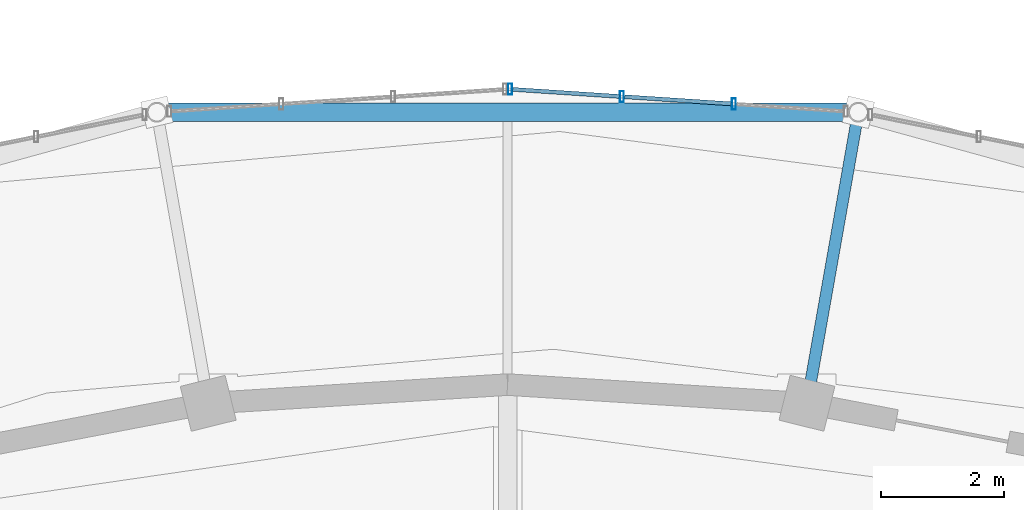
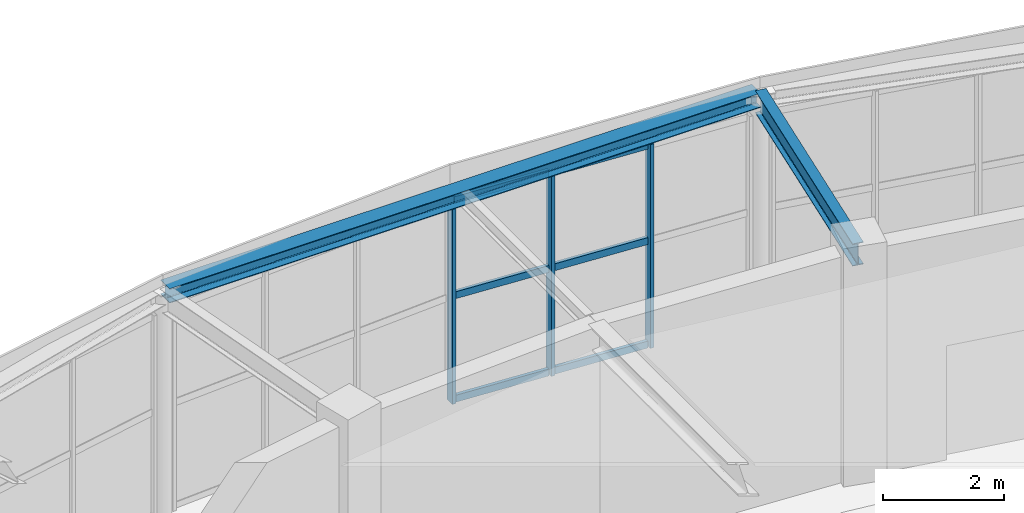
# One storey, part 60 of 108: 9 members, 2 beams, 1 element without a shape of its own.
"""IFC4 building model written with IfcOpenShell, lengths in metres."""

from ifc_helpers import new_model, si_unit, direction, frame, origin, origin_2d, place, context, subcontext, project, spatial, hollow_rectangle, i_section, extrude, material, material_profile, profile_set, type_object, element, aggregate, save


model = new_model("IFC4")

# Units and contexts
model_context = context("Model", 3, precision=1e-05, world=origin(), true_north=direction((0.0, 1.0)))
body_context = subcontext(model_context, "Body", "Model", "MODEL_VIEW")
ifc_project = project(units=[si_unit("LENGTHUNIT", "METRE"), si_unit("AREAUNIT", "SQUARE_METRE"), si_unit("VOLUMEUNIT", "CUBIC_METRE"), si_unit("PLANEANGLEUNIT", "RADIAN"), si_unit("MASSUNIT", "GRAM", prefix="KILO")], contexts=[model_context])

# Site, building, storey
site_placement = place(None, origin())
site = spatial("IfcSite", under=ifc_project, at=site_placement, CompositionType="ELEMENT")
building_placement = place(site_placement, origin())
building = spatial("IfcBuilding", under=site, at=building_placement, Name="Tarnveldt Headland Concert Hall", CompositionType="ELEMENT")
storey_placement = place(building_placement, frame((0.0, 0.0, 9.60009765625)))
storey = spatial("IfcBuildingStorey", under=building, at=storey_placement, Name="L02", CompositionType="ELEMENT", Elevation=9.60009765625)

# Curtain wall, members
ifc_material_1 = material(Name="Marine-anodised aluminium EN AW-6063-T6", Category="aluminium")
curtain_wall_type = type_object("IfcCurtainWallType", Name="CW-F3", PredefinedType="NOTDEFINED", material=ifc_material_1)
curtain_wall_placement = place(storey_placement, origin())
curtain_wall = element("IfcCurtainWall", 1, at=curtain_wall_placement, inside=storey, type_object=curtain_wall_type, Name="Curtain wall CW-L02-068", PredefinedType="NOTDEFINED")
ifc_material_profile_1 = material_profile(ifc_material_1, hollow_rectangle(XDim=0.06494140625, YDim=0.179931640625, WallThickness=0.00390625, at=origin_2d()), Name="ALU MULLION 65x180x4", Category="aluminium")
ifc_profile_set_1 = profile_set([ifc_material_profile_1], Name="Marine-anodised aluminium EN AW-6063-T6")
member_type_1 = type_object("IfcMemberType", Name="ML-180", PredefinedType="MULLION", material=ifc_profile_set_1)
member_1_placement = place(storey_placement, frame((87.176025390625, 79.056884765625, 0.0), z_axis=(0.0, 0.0, 1.0), x_axis=(1.0, 0.0, 0.0)))
member_1 = element("IfcMember", 2, at=member_1_placement, type_object=member_type_1, Name="Mullion CW-L02-068-2", PredefinedType="MULLION", context=body_context, shape_type="SweptSolid", body=[
    extrude(hollow_rectangle(XDim=0.06494140625, YDim=0.179931640625, WallThickness=0.00390625, at=origin_2d()), origin(), (0.0, 0.0, 1.0), 4.10791015625),
])
member_2_placement = place(storey_placement, frame((85.35791015625, 79.177001953125, 0.0), z_axis=(0.0, 0.0, 1.0), x_axis=(1.0, 0.0, 0.0)))
member_2 = element("IfcMember", 3, at=member_2_placement, type_object=member_type_1, Name="Mullion CW-L02-068-3", PredefinedType="MULLION", context=body_context, shape_type="SweptSolid", body=[
    extrude(hollow_rectangle(XDim=0.06494140625, YDim=0.179931640625, WallThickness=0.00390625, at=origin_2d()), origin(), (0.0, 0.0, 1.0), 4.10791015625),
])
member_3_placement = place(storey_placement, frame((83.539794921875, 79.29736328125, 0.0), z_axis=(0.0, 0.0, 1.0), x_axis=(1.0, 0.0, 0.0)))
member_3 = element("IfcMember", 4, at=member_3_placement, type_object=member_type_1, Name="Mullion CW-L02-068-4", PredefinedType="MULLION", context=body_context, shape_type="SweptSolid", body=[
    extrude(hollow_rectangle(XDim=0.06494140625, YDim=0.179931640625, WallThickness=0.00390625, at=origin_2d()), origin(), (0.0, 0.0, 1.0), 4.10791015625),
])

# Beams
ifc_material_2 = material(Name="Steel S355", Category="steel")
ifc_material_profile_2 = material_profile(ifc_material_2, i_section(OverallWidth=0.300048828125, OverallDepth=0.2900390625, WebThickness=0.008544921875, FlangeThickness=0.013916015625, FilletRadius=0.027099609375, at=origin_2d()), Name="HEA300", Category="steel")
ifc_profile_set_2 = profile_set([ifc_material_profile_2], Name="Steel S355")
beam_type_1 = type_object("IfcBeamType", Name="SB-HEA300", PredefinedType="SPANDREL", material=ifc_profile_set_2)
beam_1_placement = place(storey_placement, frame((89.1357421875, 78.923095703125, 4.4248046875), z_axis=(-1.0, 0.0, 0.0), x_axis=(0.0, -1.0, 0.0)))
element("IfcBeam", 5, at=beam_1_placement, inside=storey, type_object=beam_type_1, Name="Framing beam L02-1007", PredefinedType="SPANDREL", context=body_context, shape_type="SweptSolid", body=[
    extrude(i_section(OverallWidth=0.300048828125, OverallDepth=0.2900390625, WebThickness=0.008544921875, FlangeThickness=0.013916015625, FilletRadius=0.027099609375, at=origin_2d()), origin(), (0.0, 0.0, 1.0), 11.271484375),
])
ifc_material_profile_3 = material_profile(ifc_material_2, i_section(OverallWidth=0.18994140625, OverallDepth=0.449951171875, WebThickness=0.009521484375, FlangeThickness=0.0146484375, FilletRadius=0.02099609375, at=origin_2d()), Name="IPE450", Category="steel")
ifc_profile_set_3 = profile_set([ifc_material_profile_3], Name="Steel S355")
beam_type_2 = type_object("IfcBeamType", Name="SB-IPE450", PredefinedType="BEAM", material=ifc_profile_set_3)
beam_2_placement = place(storey_placement, frame((88.368896484375, 74.235595703125, 4.344970703125), z_axis=(0.173708285572, 0.984797152475, 0.0), x_axis=(-0.984797152475, 0.173708285572, 0.0)))
element("IfcBeam", 6, at=beam_2_placement, inside=storey, type_object=beam_type_2, Name="Framing beam L02-1008", PredefinedType="BEAM", context=body_context, shape_type="SweptSolid", body=[
    extrude(i_section(OverallWidth=0.18994140625, OverallDepth=0.449951171875, WebThickness=0.009521484375, FlangeThickness=0.0146484375, FilletRadius=0.02099609375, at=origin_2d()), origin(), (0.0, 0.0, 1.0), 4.699951171875),
])

# Member
ifc_material_profile_4 = material_profile(ifc_material_1, hollow_rectangle(XDim=0.06494140625, YDim=0.139892578125, WallThickness=0.00390625, at=origin_2d()), Name="ALU TRANSOM 65x140x4", Category="aluminium")
ifc_profile_set_4 = profile_set([ifc_material_profile_4], Name="Marine-anodised aluminium EN AW-6063-T6")
member_type_2 = type_object("IfcMemberType", Name="TR-140", PredefinedType="MEMBER", material=ifc_profile_set_4)
member_4_placement = place(storey_placement, frame((87.131591796875, 79.059814453125, 0.0498046875), z_axis=(-0.997814977195, 0.066070199676, 0.0), x_axis=(-0.066070199676, -0.997814977195, 0.0)))
member_4 = element("IfcMember", 7, at=member_4_placement, type_object=member_type_2, Name="Transom CW-L02-068-2-1", PredefinedType="MEMBER", context=body_context, shape_type="SweptSolid", body=[
    extrude(hollow_rectangle(XDim=0.06494140625, YDim=0.139892578125, WallThickness=0.00390625, at=origin_2d()), origin(), (0.0, 0.0, 1.0), 1.733154296875),
])

member_5_placement = place(storey_placement, frame((87.131591796875, 79.059814453125, 2.135986328125), z_axis=(-0.997814977195, 0.066070199676, 0.0), x_axis=(-0.066070199676, -0.997814977195, 0.0)))
member_5 = element("IfcMember", 8, at=member_5_placement, type_object=member_type_2, Name="Transom CW-L02-068-2-2", PredefinedType="MEMBER", context=body_context, shape_type="SweptSolid", body=[
    extrude(hollow_rectangle(XDim=0.06494140625, YDim=0.139892578125, WallThickness=0.00390625, at=origin_2d()), origin(), (0.0, 0.0, 1.0), 1.733154296875),
])

member_6_placement = place(storey_placement, frame((87.131591796875, 79.059814453125, 4.057861328125), z_axis=(-0.997814977195, 0.066070199676, 0.0), x_axis=(-0.066070199676, -0.997814977195, 0.0)))
member_6 = element("IfcMember", 9, at=member_6_placement, type_object=member_type_2, Name="Transom CW-L02-068-2-3", PredefinedType="MEMBER", context=body_context, shape_type="SweptSolid", body=[
    extrude(hollow_rectangle(XDim=0.06494140625, YDim=0.139892578125, WallThickness=0.00390625, at=origin_2d()), origin(), (0.0, 0.0, 1.0), 1.733154296875),
])

member_7_placement = place(storey_placement, frame((85.313720703125, 79.179931640625, 0.0498046875), z_axis=(-0.997815592021, 0.066060913701, 0.0), x_axis=(-0.066060913701, -0.997815592021, 0.0)))
member_7 = element("IfcMember", 10, at=member_7_placement, type_object=member_type_2, Name="Transom CW-L02-068-3-1", PredefinedType="MEMBER", context=body_context, shape_type="SweptSolid", body=[
    extrude(hollow_rectangle(XDim=0.06494140625, YDim=0.139892578125, WallThickness=0.00390625, at=origin_2d()), origin(), (0.0, 0.0, 1.0), 1.7333984375),
])

member_8_placement = place(storey_placement, frame((85.313720703125, 79.179931640625, 2.135986328125), z_axis=(-0.997815592021, 0.066060913701, 0.0), x_axis=(-0.066060913701, -0.997815592021, 0.0)))
member_8 = element("IfcMember", 11, at=member_8_placement, type_object=member_type_2, Name="Transom CW-L02-068-3-2", PredefinedType="MEMBER", context=body_context, shape_type="SweptSolid", body=[
    extrude(hollow_rectangle(XDim=0.06494140625, YDim=0.139892578125, WallThickness=0.00390625, at=origin_2d()), origin(), (0.0, 0.0, 1.0), 1.7333984375),
])

member_9_placement = place(storey_placement, frame((85.313720703125, 79.179931640625, 4.057861328125), z_axis=(-0.997815592021, 0.066060913701, 0.0), x_axis=(-0.066060913701, -0.997815592021, 0.0)))
member_9 = element("IfcMember", 12, at=member_9_placement, type_object=member_type_2, Name="Transom CW-L02-068-3-3", PredefinedType="MEMBER", context=body_context, shape_type="SweptSolid", body=[
    extrude(hollow_rectangle(XDim=0.06494140625, YDim=0.139892578125, WallThickness=0.00390625, at=origin_2d()), origin(), (0.0, 0.0, 1.0), 1.7333984375),
])

aggregate(curtain_wall, [member_1, member_2, member_3, member_4, member_5, member_6, member_7, member_8, member_9])

save(model, "model.ifc")
